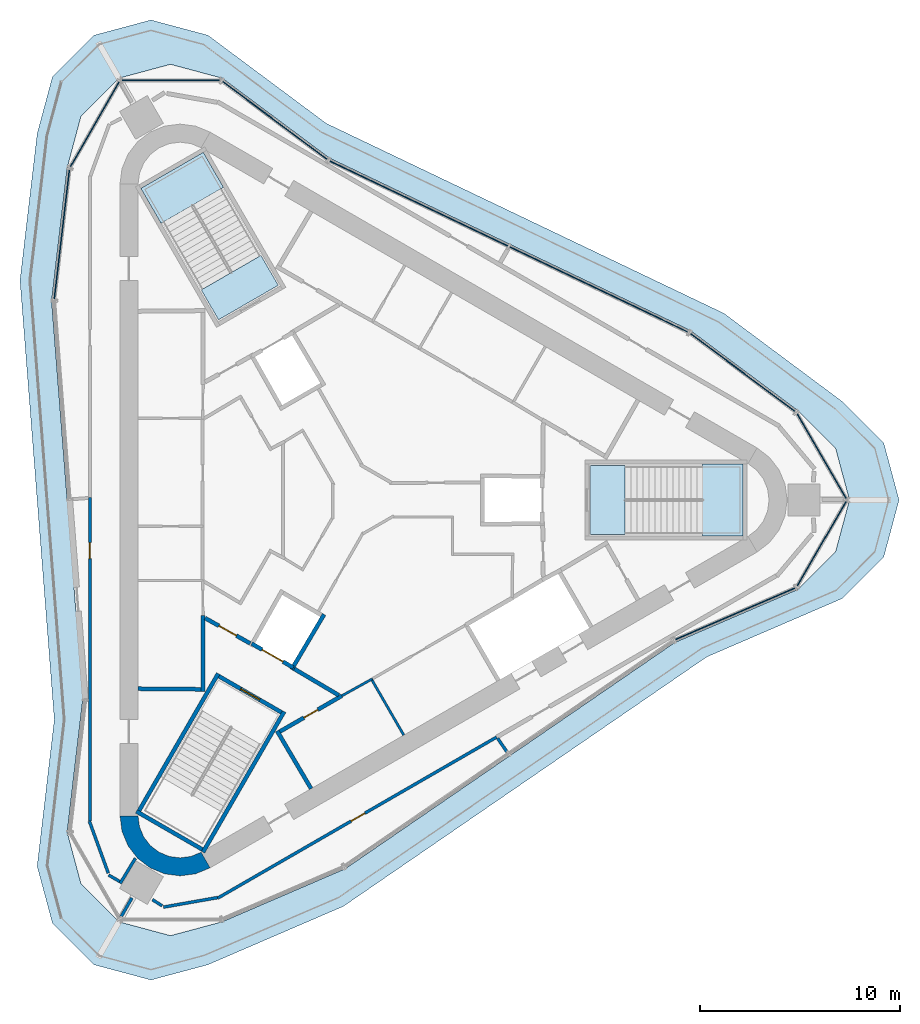
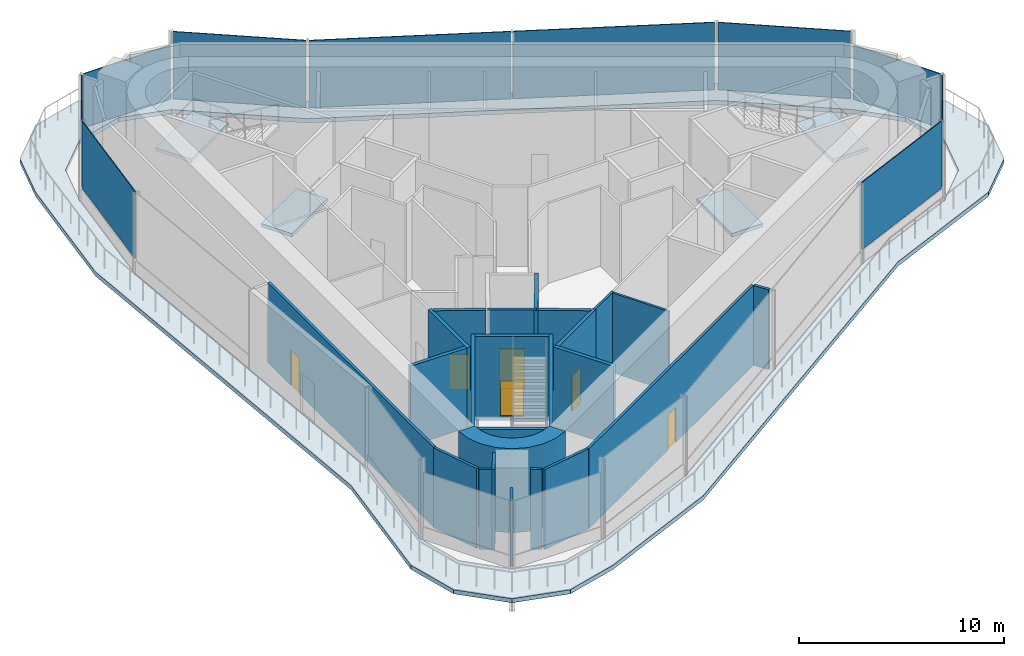
# One storey, part 3 of 8: 24 walls, 10 plates, 6 doors, 5 slabs, 6 openings, 11 elements without a shape of their own.
"""IFC4 building model written with IfcOpenShell, lengths in metres."""

import ifcopenshell
import ifcopenshell.guid

model = None  # the IFC model being written
_history = None  # IfcOwnerHistory: only IFC2X3 demands one
_inside = {}  # id of a spatial element -> (the spatial element, [elements in it])
_under = {}  # id of a project, library or spatial element -> (it, [spatial elements below it])
_declared = {}  # id of a project -> (the project, [libraries it declares])
_typed = {}  # id of a type object -> (the type object, [elements of that type])
_made_of = {}  # id of a material, layer set ... -> (it, [elements and type objects made of it])


def new_model(schema):
    """Start an empty IFC model of exactly this schema.

    Asked for "IFC4X3", IfcOpenShell would pick the latest addendum, in which some entities
    have other attributes; the version numbers below select the first issue.
    IFC2X3 requires an IfcOwnerHistory on every rooted entity: one is made here for all.
    """
    global model, _history
    if schema == "IFC4X3":
        model = ifcopenshell.file(schema_version=(4, 3, 0, 0))
    else:
        model = ifcopenshell.file(schema=schema)
    _inside.clear()
    _under.clear()
    _declared.clear()
    _typed.clear()
    _made_of.clear()
    _history = None
    if model.schema == "IFC2X3":
        org = make("IfcOrganization", Name="unknown")
        user = make(
            "IfcPersonAndOrganization",
            ThePerson=make("IfcPerson", FamilyName="unknown"),
            TheOrganization=org,
        )
        app = make(
            "IfcApplication",
            ApplicationDeveloper=org,
            Version="unknown",
            ApplicationFullName="unknown",
            ApplicationIdentifier="unknown",
        )
        _history = make(
            "IfcOwnerHistory",
            OwningUser=user,
            OwningApplication=app,
            ChangeAction="ADDED",
            CreationDate=0,
        )
    return model


def make(cls, **values):
    """One entity of the class cls with the attributes given. An attribute that is None is left unset."""
    return model.create_entity(
        cls, **{name: value for name, value in values.items() if value is not None}
    )


def rooted(cls, **values):
    """An entity with a GlobalId (a new one), such as an element, a storey or a relation."""
    return make(cls, GlobalId=ifcopenshell.guid.new(), OwnerHistory=_history, **values)


def si_unit(unit_type, name, prefix=None):
    """IfcSIUnit, for example si_unit("LENGTHUNIT", "METRE", prefix="MILLI")."""
    return make("IfcSIUnit", UnitType=unit_type, Prefix=prefix, Name=name)


def assignment(units):
    """IfcUnitAssignment: the units of a project."""
    return None if units is None else make("IfcUnitAssignment", Units=units)


def point(xyz):
    """IfcCartesianPoint."""
    return None if xyz is None else make("IfcCartesianPoint", Coordinates=xyz)


def direction(xyz):
    """IfcDirection."""
    return None if xyz is None else make("IfcDirection", DirectionRatios=xyz)


def frame(location, z_axis=None, x_axis=None):
    """IfcAxis2Placement3D, a coordinate frame: its origin and axes. An axis left out is left unset."""
    return make(
        "IfcAxis2Placement3D",
        Location=point(location),
        Axis=direction(z_axis),
        RefDirection=direction(x_axis),
    )


def frame_2d(location, x_axis=None):
    """IfcAxis2Placement2D, a coordinate frame in the plane: its origin and x axis."""
    return make(
        "IfcAxis2Placement2D", Location=point(location), RefDirection=direction(x_axis)
    )


def origin():
    """The frame at (0, 0, 0) with its axes left unset."""
    return frame((0.0, 0.0, 0.0))


def origin_2d():
    """The frame at (0, 0) in the plane with its x axis left unset."""
    return frame_2d((0.0, 0.0))


def place(relative_to, where):
    """IfcLocalPlacement: puts the frame where relative to a parent placement (None: the world)."""
    return make(
        "IfcLocalPlacement", PlacementRelTo=relative_to, RelativePlacement=where
    )


def context(
    kind, dimensions, precision=None, world=None, true_north=None, identifier=None
):
    """IfcGeometricRepresentationContext, for example the 3D "Model" context."""
    return make(
        "IfcGeometricRepresentationContext",
        ContextIdentifier=identifier,
        ContextType=kind,
        CoordinateSpaceDimension=dimensions,
        Precision=precision,
        WorldCoordinateSystem=world,
        TrueNorth=true_north,
    )


def subcontext(parent, identifier, kind, view, scale=None):
    """IfcGeometricRepresentationSubContext, for example "Body" below "Model"."""
    return make(
        "IfcGeometricRepresentationSubContext",
        ContextIdentifier=identifier,
        ContextType=kind,
        ParentContext=parent,
        TargetScale=scale,
        TargetView=view,
    )


def project(units=None, contexts=None):
    """IfcProject with its units and contexts."""
    return rooted(
        "IfcProject",
        Name="project",
        RepresentationContexts=contexts,
        UnitsInContext=assignment(units),
    )


def spatial(cls, under=None, at=None, **own):
    """A site, building, storey or space (cls), placed at a placement, below another one or the project."""
    s = rooted(cls, ObjectPlacement=at, **own)
    if under is not None:
        _under.setdefault(under.id(), (under, []))[1].append(s)
    return s


def polyline(points):
    """IfcPolyline through the points."""
    return make("IfcPolyline", Points=[point(p) for p in points])


def profile(cls, at=None, kind="AREA", **sizes):
    """A parametric profile (cls). Its sizes go by their IFC names, for example OverallWidth=200.0."""
    return make(cls, ProfileType=kind, Position=at, **sizes)


def rectangle(**sizes):
    """IfcRectangleProfileDef."""
    return profile("IfcRectangleProfileDef", **sizes)


def outline(outer, holes=None, kind="AREA"):
    """IfcArbitraryClosedProfileDef: a profile drawn as a closed curve; with holes, ...WithVoids."""
    if holes is None:
        return make("IfcArbitraryClosedProfileDef", ProfileType=kind, OuterCurve=outer)
    return make(
        "IfcArbitraryProfileDefWithVoids",
        ProfileType=kind,
        OuterCurve=outer,
        InnerCurves=holes,
    )


def extrude(swept, where, along, depth):
    """IfcExtrudedAreaSolid: the profile swept, set in the frame where, extruded along a direction by depth."""
    return make(
        "IfcExtrudedAreaSolid",
        SweptArea=swept,
        Position=where,
        ExtrudedDirection=direction(along),
        Depth=depth,
    )


def shape(context_of_items, identifier, shape_type, items):
    """IfcShapeRepresentation: the items that make up one representation, for example the "Body"."""
    return make(
        "IfcShapeRepresentation",
        ContextOfItems=context_of_items,
        RepresentationIdentifier=identifier,
        RepresentationType=shape_type,
        Items=items,
    )


def material(Name=None, Category=None):
    """IfcMaterial."""
    return make("IfcMaterial", Name=Name, Category=Category)


def layer(
    of_material, thickness, ventilated=None, Name=None, Category=None, Priority=None
):
    """IfcMaterialLayer: one layer of a wall or slab, of a material (None: an air gap)."""
    return make(
        "IfcMaterialLayer",
        Material=of_material,
        LayerThickness=thickness,
        IsVentilated=ventilated,
        Name=Name,
        Category=Category,
        Priority=Priority,
    )


def layer_set(layers, Name=None):
    """IfcMaterialLayerSet."""
    return make("IfcMaterialLayerSet", MaterialLayers=layers, LayerSetName=Name)


def made_of(thing, what):
    """Note that an element or type object is made of a material, layer set ...; save() writes the relation."""
    if what is not None:
        _made_of.setdefault(what.id(), (what, []))[1].append(thing)
    return thing


def type_object(cls, material=None, **own):
    """A type object (cls), such as IfcWallType, which elements share."""
    return made_of(rooted(cls, **own), material)


def element(
    cls,
    number,
    at=None,
    inside=None,
    cuts=None,
    type_object=None,
    material=None,
    context=None,
    identifier="Body",
    shape_type=None,
    held_by="IfcProductDefinitionShape",
    body=None,
    shapes=None,
    **own,
):
    """One element of the class cls, such as IfcWall. Its Tag is "e" and its number.

    at: its placement. inside: the storey or other place that contains it. cuts: it is an
    opening in that element (IfcRelVoidsElement). A single representation is given by context,
    identifier, shape_type and body (its items); several are given by shapes. held_by: the class
    of the entity that holds the representations. save() writes the other relations.
    """
    e = rooted(cls, Tag="e%d" % number, ObjectPlacement=at, **own)
    if body is not None:
        shapes = [shape(context, identifier, shape_type, body)]
    if shapes is not None:
        e.Representation = make(held_by, Representations=shapes)
    if inside is not None:
        _inside.setdefault(inside.id(), (inside, []))[1].append(e)
    if cuts is not None:
        rooted(
            "IfcRelVoidsElement", RelatingBuildingElement=cuts, RelatedOpeningElement=e
        )
    if type_object is not None:
        _typed.setdefault(type_object.id(), (type_object, []))[1].append(e)
    return made_of(e, material)


def fill(opening, filler):
    """IfcRelFillsElement: the door or window that sits in an opening."""
    return rooted(
        "IfcRelFillsElement",
        RelatingOpeningElement=opening,
        RelatedBuildingElement=filler,
    )


def aggregate(whole, parts):
    """IfcRelAggregates: a whole, such as a stair, and the parts it consists of."""
    return rooted("IfcRelAggregates", RelatingObject=whole, RelatedObjects=parts)


def save(model, path):
    """Write the relations noted so far, then the file.

    IfcRelAggregates (storeys below a building ...), IfcRelContainedInSpatialStructure (elements
    in a storey), IfcRelDefinesByType, IfcRelAssociatesMaterial and IfcRelDeclares: one each for
    every whole, place, type object, material and project.
    """
    for whole, parts in _under.values():
        aggregate(whole, parts)
    for where, things in _inside.values():
        rooted(
            "IfcRelContainedInSpatialStructure",
            RelatedElements=things,
            RelatingStructure=where,
        )
    for kind, things in _typed.values():
        rooted("IfcRelDefinesByType", RelatedObjects=things, RelatingType=kind)
    for what, things in _made_of.values():
        rooted("IfcRelAssociatesMaterial", RelatedObjects=things, RelatingMaterial=what)
    for by, libraries in _declared.values():
        rooted("IfcRelDeclares", RelatingContext=by, RelatedDefinitions=libraries)
    model.write(path)


model = new_model("IFC4")

# Units and contexts
model_context = context("Model", 3, precision=1e-05, world=origin(), true_north=direction((0.0, 1.0)))
body_context = subcontext(model_context, "Body", "Model", "MODEL_VIEW")
ifc_project = project(units=[si_unit("LENGTHUNIT", "METRE"), si_unit("AREAUNIT", "SQUARE_METRE"), si_unit("VOLUMEUNIT", "CUBIC_METRE"), si_unit("PLANEANGLEUNIT", "RADIAN"), si_unit("MASSUNIT", "GRAM", prefix="KILO")], contexts=[model_context])

# Site, building, storey
site_placement = place(None, origin())
site = spatial("IfcSite", under=ifc_project, at=site_placement, CompositionType="ELEMENT")
building_placement = place(site_placement, origin())
building = spatial("IfcBuilding", under=site, at=building_placement, Name="Tanit Gate Tower", CompositionType="ELEMENT")
storey_placement = place(building_placement, frame((0.0, 0.0, 435.300048828125)))
storey = spatial("IfcBuildingStorey", under=building, at=storey_placement, Name="L98", CompositionType="ELEMENT", Elevation=435.300048828125)

# Stair, slab
ifc_material_1 = material(Name="Concrete C40/50", Category="concrete")
stair_type = type_object("IfcStairType", Name="INT-STAIR-EXIT", PredefinedType="HALF_TURN_STAIR", material=ifc_material_1)
stair_1_placement = place(storey_placement, origin())
stair_1 = element("IfcStair", 1, at=stair_1_placement, inside=storey, type_object=stair_type, Name="L98 STAIR S1", PredefinedType="HALF_TURN_STAIR")
ifc_material_2 = material(Name="Concrete C40/50", Category="concrete")
ifc_layer_1 = layer(ifc_material_2, 0.199951171875)
ifc_layer_set_1 = layer_set([ifc_layer_1], Name="INT-STAIR-LANDING")
slab_type_1 = type_object("IfcSlabType", Name="INT-STAIR-LANDING", PredefinedType="LANDING", material=ifc_layer_set_1)
slab_1_placement = place(storey_placement, frame((0.0, 0.0, 2.300048828125)))
slab_1 = element("IfcSlab", 2, at=slab_1_placement, type_object=slab_type_1, Name="S1 landing 1", PredefinedType="LANDING", context=body_context, shape_type="SweptSolid", body=[
    extrude(outline(polyline([(16.985107421875, -1.800048828125), (19.0, -1.800048828125), (19.0, 1.800048828125), (16.985107421875, 1.800048828125), (16.985107421875, -1.800048828125)])), origin(), (0.0, 0.0, 1.0), 0.199951171875),
])
aggregate(stair_1, [slab_1])

# Slab
slab_2_placement = place(storey_placement, frame((0.0, 0.0, -0.199951171875)))
element("IfcSlab", 3, at=slab_2_placement, inside=storey, type_object=slab_type_1, Name="S1 floor landing", PredefinedType="LANDING", context=body_context, shape_type="SweptSolid", body=[
    extrude(outline(polyline([(11.3798828125, -1.719970703125), (13.10498046875, -1.719970703125), (13.10498046875, 1.719970703125), (11.3798828125, 1.719970703125), (11.3798828125, -1.719970703125)])), origin(), (0.0, 0.0, 1.0), 0.199951171875),
])

# Stair, slab
stair_2_placement = place(storey_placement, origin())
stair_2 = element("IfcStair", 4, at=stair_2_placement, inside=storey, type_object=stair_type, Name="L98 STAIR S2", PredefinedType="HALF_TURN_STAIR")
slab_3_placement = place(storey_placement, frame((0.0, 0.0, 2.300048828125)))
slab_3 = element("IfcSlab", 5, at=slab_3_placement, type_object=slab_type_1, Name="S2 landing 1", PredefinedType="LANDING", context=body_context, shape_type="SweptSolid", body=[
    extrude(outline(polyline([(-6.93310546875, 15.608642578125), (-7.941162109375, 17.3544921875), (-11.058837890625, 15.554443359375), (-10.05078125, 13.80859375), (-6.93310546875, 15.608642578125)])), origin(), (0.0, 0.0, 1.0), 0.199951171875),
])
aggregate(stair_2, [slab_3])

# Slab
slab_4_placement = place(storey_placement, frame((0.0, 0.0, -0.199951171875)))
element("IfcSlab", 6, at=slab_4_placement, inside=storey, type_object=slab_type_1, Name="S2 floor landing", PredefinedType="LANDING", context=body_context, shape_type="SweptSolid", body=[
    extrude(outline(polyline([(-4.200439453125, 10.71533203125), (-5.0625, 12.20849609375), (-8.04150390625, 10.48828125), (-7.179443359375, 8.995361328125), (-4.200439453125, 10.71533203125)])), origin(), (0.0, 0.0, 1.0), 0.199951171875),
])

# Curtain wall, plate
ifc_material_3 = material(Name="Aluminium bronze anodised and glass", Category="aluminium")
curtain_wall_type = type_object("IfcCurtainWallType", Name="Curtain wall plant screen", PredefinedType="NOTDEFINED", material=ifc_material_3)
curtain_wall_1_placement = place(storey_placement, origin())
curtain_wall_1 = element("IfcCurtainWall", 7, at=curtain_wall_1_placement, inside=storey, type_object=curtain_wall_type, Name="Curtain wall L98 NE1", PredefinedType="NOTDEFINED")
ifc_material_4 = material(Name="Aluminium bronze anodised louvre", Category="aluminium")
ifc_layer_2 = layer(ifc_material_4, 0.050048828125)
ifc_layer_set_2 = layer_set([ifc_layer_2], Name="Louvre panel 50 plant screen")
plate_type = type_object("IfcPlateType", Name="Louvre panel 50 plant screen", PredefinedType="CURTAIN_PANEL", material=ifc_layer_set_2)
plate_1_placement = place(storey_placement, frame((18.9833984375, 6.3642578125, 0.75), z_axis=(0.0, 0.0, 1.0), x_axis=(-0.801987717098, 0.59734052401, 0.0)))
plate_1 = element("IfcPlate", 8, at=plate_1_placement, type_object=plate_type, Name="Louvre panel L98 NE1.1", PredefinedType="CURTAIN_PANEL", context=body_context, shape_type="SweptSolid", body=[
    extrude(rectangle(XDim=6.5, YDim=0.050048828125, at=origin_2d()), origin(), (0.0, 0.0, 1.0), 4.0),
])
aggregate(curtain_wall_1, [plate_1])

# Curtain wall, plates
curtain_wall_2_placement = place(storey_placement, origin())
curtain_wall_2 = element("IfcCurtainWall", 9, at=curtain_wall_2_placement, inside=storey, type_object=curtain_wall_type, Name="Curtain wall L98 NE2", PredefinedType="NOTDEFINED")
plate_2_placement = place(storey_placement, frame((11.79052734375, 10.513671875, 0.75), z_axis=(0.0, 0.0, 1.0), x_axis=(-0.902317145415, 0.431072811819, 0.0)))
plate_2 = element("IfcPlate", 10, at=plate_2_placement, type_object=plate_type, Name="Louvre panel L98 NE2.1", PredefinedType="CURTAIN_PANEL", context=body_context, shape_type="SweptSolid", body=[
    extrude(rectangle(XDim=9.863037109375, YDim=0.050048828125, at=origin_2d()), origin(), (0.0, 0.0, 1.0), 4.0),
])
plate_3_placement = place(storey_placement, frame((2.81884765625, 14.7998046875, 0.75), z_axis=(0.0, 0.0, 1.0), x_axis=(-0.902317145415, 0.431072811819, 0.0)))
plate_3 = element("IfcPlate", 11, at=plate_3_placement, type_object=plate_type, Name="Louvre panel L98 NE2.2", PredefinedType="CURTAIN_PANEL", context=body_context, shape_type="SweptSolid", body=[
    extrude(rectangle(XDim=9.863037109375, YDim=0.050048828125, at=origin_2d()), origin(), (0.0, 0.0, 1.0), 4.0),
])
aggregate(curtain_wall_2, [plate_2, plate_3])

# Curtain wall, plate
curtain_wall_3_placement = place(storey_placement, origin())
curtain_wall_3 = element("IfcCurtainWall", 12, at=curtain_wall_3_placement, inside=storey, type_object=curtain_wall_type, Name="Curtain wall L98 NE3", PredefinedType="NOTDEFINED")
plate_4_placement = place(storey_placement, frame((-4.37744140625, 18.9521484375, 0.75), z_axis=(0.0, 0.0, 1.0), x_axis=(-0.801987717098, 0.59734052401, 0.0)))
plate_4 = element("IfcPlate", 13, at=plate_4_placement, type_object=plate_type, Name="Louvre panel L98 NE3.1", PredefinedType="CURTAIN_PANEL", context=body_context, shape_type="SweptSolid", body=[
    extrude(rectangle(XDim=6.50927734375, YDim=0.050048828125, at=origin_2d()), origin(), (0.0, 0.0, 1.0), 4.0),
])
aggregate(curtain_wall_3, [plate_4])

curtain_wall_4_placement = place(storey_placement, origin())
curtain_wall_4 = element("IfcCurtainWall", 14, at=curtain_wall_4_placement, inside=storey, type_object=curtain_wall_type, Name="Curtain wall L98 NW.arc1", PredefinedType="NOTDEFINED")
plate_5_placement = place(storey_placement, frame((-9.57275390625, 20.9453125, 0.75), z_axis=(0.0, 0.0, 1.0), x_axis=(-0.99999988904, 0.000471083302, 0.0)))
plate_5 = element("IfcPlate", 15, at=plate_5_placement, type_object=plate_type, Name="Louvre panel L98 NW.arc1.1", PredefinedType="CURTAIN_PANEL", context=body_context, shape_type="SweptSolid", body=[
    extrude(rectangle(XDim=4.881591796875, YDim=0.050048828125, at=origin_2d()), origin(), (0.0, 0.0, 1.0), 3.2099609375),
])
aggregate(curtain_wall_4, [plate_5])

curtain_wall_5_placement = place(storey_placement, origin())
curtain_wall_5 = element("IfcCurtainWall", 16, at=curtain_wall_5_placement, inside=storey, type_object=curtain_wall_type, Name="Curtain wall L98 NW.arc2", PredefinedType="NOTDEFINED")
plate_6_placement = place(storey_placement, frame((-13.354736328125, 18.755859375, 0.75), z_axis=(0.0, 0.0, 1.0), x_axis=(-0.498960988441, -0.866624446929, 0.0)))
plate_6 = element("IfcPlate", 17, at=plate_6_placement, type_object=plate_type, Name="Louvre panel L98 NW.arc2.1", PredefinedType="CURTAIN_PANEL", context=body_context, shape_type="SweptSolid", body=[
    extrude(rectangle(XDim=4.895263671875, YDim=0.050048828125, at=origin_2d()), origin(), (0.0, 0.0, 1.0), 3.2099609375),
])
aggregate(curtain_wall_5, [plate_6])

curtain_wall_6_placement = place(storey_placement, origin())
curtain_wall_6 = element("IfcCurtainWall", 18, at=curtain_wall_6_placement, inside=storey, type_object=curtain_wall_type, Name="Curtain wall L98 W1", PredefinedType="NOTDEFINED")
plate_7_placement = place(storey_placement, frame((-15.003173828125, 13.2578125, 0.75), z_axis=(0.0, 0.0, 1.0), x_axis=(-0.116318209953, -0.993211998535, 0.0)))
plate_7 = element("IfcPlate", 19, at=plate_7_placement, type_object=plate_type, Name="Louvre panel L98 W1.1", PredefinedType="CURTAIN_PANEL", context=body_context, shape_type="SweptSolid", body=[
    extrude(rectangle(XDim=6.5, YDim=0.050048828125, at=origin_2d()), origin(), (0.0, 0.0, 1.0), 4.0),
])
aggregate(curtain_wall_6, [plate_7])

curtain_wall_7_placement = place(storey_placement, origin())
curtain_wall_7 = element("IfcCurtainWall", 20, at=curtain_wall_7_placement, inside=storey, type_object=curtain_wall_type, Name="Curtain wall L98 SE3", PredefinedType="NOTDEFINED")
plate_8_placement = place(storey_placement, frame((18.601806640625, -5.68505859375, 0.75), z_axis=(0.0, 0.0, 1.0), x_axis=(0.918305927051, 0.395871474525, 0.0)))
plate_8 = element("IfcPlate", 21, at=plate_8_placement, type_object=plate_type, Name="Louvre panel L98 SE3.1", PredefinedType="CURTAIN_PANEL", context=body_context, shape_type="SweptSolid", body=[
    extrude(rectangle(XDim=6.50927734375, YDim=0.050048828125, at=origin_2d()), origin(), (0.0, 0.0, 1.0), 4.0),
])
aggregate(curtain_wall_7, [plate_8])

curtain_wall_8_placement = place(storey_placement, origin())
curtain_wall_8 = element("IfcCurtainWall", 22, at=curtain_wall_8_placement, inside=storey, type_object=curtain_wall_type, Name="Curtain wall L98 E.arc1", PredefinedType="NOTDEFINED")
plate_9_placement = place(storey_placement, frame((22.925537109375, -2.182373046875, 0.75), z_axis=(0.0, 0.0, 1.0), x_axis=(0.500407914627, 0.865789766039, 0.0)))
plate_9 = element("IfcPlate", 23, at=plate_9_placement, type_object=plate_type, Name="Louvre panel L98 E.arc1.1", PredefinedType="CURTAIN_PANEL", context=body_context, shape_type="SweptSolid", body=[
    extrude(rectangle(XDim=4.881591796875, YDim=0.050048828125, at=origin_2d()), origin(), (0.0, 0.0, 1.0), 3.2099609375),
])
aggregate(curtain_wall_8, [plate_9])

curtain_wall_9_placement = place(storey_placement, origin())
curtain_wall_9 = element("IfcCurtainWall", 24, at=curtain_wall_9_placement, inside=storey, type_object=curtain_wall_type, Name="Curtain wall L98 E.arc2", PredefinedType="NOTDEFINED")
plate_10_placement = place(storey_placement, frame((22.92041015625, 2.1875, 0.75), z_axis=(0.0, 0.0, 1.0), x_axis=(-0.50103829236, 0.865425114951, 0.0)))
plate_10 = element("IfcPlate", 25, at=plate_10_placement, type_object=plate_type, Name="Louvre panel L98 E.arc2.1", PredefinedType="CURTAIN_PANEL", context=body_context, shape_type="SweptSolid", body=[
    extrude(rectangle(XDim=4.895263671875, YDim=0.050048828125, at=origin_2d()), origin(), (0.0, 0.0, 1.0), 3.2099609375),
])
aggregate(curtain_wall_9, [plate_10])

# Slab
ifc_material_5 = material(Name="Concrete C35/45", Category="concrete")
ifc_layer_3 = layer(ifc_material_5, 0.25)
ifc_layer_set_3 = layer_set([ifc_layer_3], Name="TERRACE SLAB 250 C35/45")
slab_type_2 = type_object("IfcSlabType", Name="TERRACE SLAB 250 C35/45", PredefinedType="FLOOR", material=ifc_layer_set_3)
slab_5_placement = place(storey_placement, frame((0.0, 0.0, -0.25)))
element("IfcSlab", 26, at=slab_5_placement, inside=storey, type_object=slab_type_2, Name="TERRACE SLAB L98", PredefinedType="FLOOR", context=body_context, shape_type="SweptSolid", body=[
    extrude(outline(polyline([(26.02490234375, 2.8408203125), (26.7861328125, 0.0), (26.02490234375, -2.8408203125), (23.945068359375, -4.920654296875), (17.185791015625, -7.83447265625), (-0.951904296875, -20.283447265625), (-7.711181640625, -23.197509765625), (-10.552001953125, -23.95849609375), (-13.39306640625, -23.197509765625), (-15.47265625, -21.11767578125), (-16.23388671875, -18.276611328125), (-15.377685546875, -10.966064453125), (-17.090087890625, 10.966064453125), (-16.23388671875, 18.276611328125), (-15.47265625, 21.11767578125), (-13.39306640625, 23.197509765625), (-10.552001953125, 23.95849609375), (-7.711181640625, 23.197509765625), (-1.80810546875, 18.800537109375), (18.0419921875, 9.3173828125), (23.945068359375, 4.920654296875), (26.02490234375, 2.8408203125)]), holes=[polyline([(16.375, 8.45654296875), (-1.640869140625, 17.0634765625), (-6.99853515625, 21.053955078125), (-9.5771484375, 21.744873046875), (-12.155517578125, 21.053955078125), (-14.043212890625, 19.16650390625), (-14.73388671875, 16.587890625), (-15.510986328125, 9.952880859375), (-13.956787109375, -9.952880859375), (-14.73388671875, -16.587890625), (-14.043212890625, -19.16650390625), (-12.155517578125, -21.053955078125), (-9.5771484375, -21.744873046875), (-6.99853515625, -21.053955078125), (-0.864013671875, -18.409423828125), (15.597900390625, -7.110595703125), (21.732666015625, -4.466064453125), (23.6201171875, -2.578369140625), (24.31103515625, 0.0), (23.6201171875, 2.578369140625), (21.732666015625, 4.466064453125), (16.375, 8.45654296875)])]), origin(), (0.0, 0.0, 1.0), 0.25),
])

# Walls
ifc_material_6 = material(Name="Concrete C40/50", Category="concrete")
ifc_layer_4 = layer(ifc_material_6, 0.89990234375)
ifc_layer_set_4 = layer_set([ifc_layer_4], Name="CORE WALL 900 C40/50")
wall_type_1 = type_object("IfcWallType", Name="CORE WALL 900 C40/50", PredefinedType="SHEAR", material=ifc_layer_set_4)
wall_1_placement = place(storey_placement, origin())
element("IfcWall", 27, at=wall_1_placement, inside=storey, type_object=wall_type_1, Name="CORE WALL CORNER", PredefinedType="SHEAR", context=body_context, shape_type="SweptSolid", body=[
    extrude(outline(polyline([(-12.10009765625, -15.76171875), (-11.997802734375, -16.5380859375), (-11.697998046875, -17.26171875), (-11.22119140625, -17.883056640625), (-10.60009765625, -18.359619140625), (-9.87646484375, -18.659423828125), (-9.10009765625, -18.76171875), (-8.323486328125, -18.659423828125), (-7.60009765625, -18.359619140625), (-8.050048828125, -17.580322265625), (-8.556396484375, -17.7900390625), (-9.10009765625, -17.86181640625), (-9.6435546875, -17.7900390625), (-10.14990234375, -17.580322265625), (-10.5849609375, -17.24658203125), (-10.918701171875, -16.811767578125), (-11.12841796875, -16.30517578125), (-11.199951171875, -15.76171875), (-12.10009765625, -15.76171875)])), origin(), (0.0, 0.0, 1.0), 5.0),
])
ifc_material_7 = material(Name="Fire-rated gypsum board partition")
ifc_layer_5 = layer(ifc_material_7, 0.199951171875)
ifc_layer_set_5 = layer_set([ifc_layer_5], Name="INT-WALL-COMPARTMENT")
wall_type_2 = type_object("IfcWallType", Name="INT-WALL-COMPARTMENT", PredefinedType="PARTITIONING", material=ifc_layer_set_5)
wall_2_placement = place(storey_placement, frame((-7.949951171875, -9.550048828125, 0.0), z_axis=(0.0, 0.0, 1.0), x_axis=(0.0, 1.0, 0.0)))
element("IfcWall", 28, at=wall_2_placement, inside=storey, type_object=wall_type_2, Name="Wall Compartment W041", PredefinedType="PARTITIONING", context=body_context, shape_type="SweptSolid", body=[
    extrude(rectangle(XDim=3.777587890625, YDim=0.199951171875, at=frame_2d((1.888671875, 0.0))), origin(), (0.0, 0.0, 1.0), 4.75),
])
wall_3_placement = place(storey_placement, frame((-11.199951171875, -9.419921875, 0.0), z_axis=(0.0, 0.0, 1.0), x_axis=(0.999957467379, -0.009222983926, 0.0)))
element("IfcWall", 29, at=wall_3_placement, inside=storey, type_object=wall_type_2, Name="Wall Compartment W042", PredefinedType="PARTITIONING", context=body_context, shape_type="SweptSolid", body=[
    extrude(rectangle(XDim=3.150146484375, YDim=0.199951171875, at=frame_2d((1.5751953125, 0.0))), origin(), (0.0, 0.0, 1.0), 4.75),
])
wall_4_placement = place(storey_placement, frame((-4.259765625, -11.523681640625, 0.0), z_axis=(0.0, 0.0, 1.0), x_axis=(0.507997497166, -0.861358544901, 0.0)))
element("IfcWall", 30, at=wall_4_placement, inside=storey, type_object=wall_type_2, Name="Wall Compartment W056", PredefinedType="PARTITIONING", context=body_context, shape_type="SweptSolid", body=[
    extrude(rectangle(XDim=3.350341796875, YDim=0.199951171875, at=frame_2d((1.67529296875, 0.0))), origin(), (0.0, 0.0, 1.0), 4.75),
])

# Wall, opening, door
wall_5_placement = place(storey_placement, frame((-1.02392578125, -9.77099609375, 0.0), z_axis=(0.0, 0.0, 1.0), x_axis=(-0.866029903013, -0.499992207027, 0.0)))
wall_5 = element("IfcWall", 31, at=wall_5_placement, inside=storey, type_object=wall_type_2, Name="Wall Compartment W057", PredefinedType="PARTITIONING", context=body_context, shape_type="SweptSolid", body=[
    extrude(rectangle(XDim=3.57763671875, YDim=0.199951171875, at=frame_2d((1.788818359375, 0.0))), origin(), (0.0, 0.0, 1.0), 4.75),
])
opening_1_placement = place(wall_5_placement, frame((1.388916015625, 0.0, 0.0)))
opening_1 = element("IfcOpeningElement", 32, at=opening_1_placement, cuts=wall_5, Name="Opening R08-98-20", PredefinedType="OPENING", context=body_context, shape_type="SweptSolid", body=[
    extrude(rectangle(XDim=0.800048828125, YDim=2.10009765625, at=frame_2d((0.39990234375, 1.050048828125))), frame((0.0, 0.10986328125, 0.0), z_axis=(0.0, -1.0, 0.0), x_axis=(1.0, 0.0, 0.0)), (0.0, 0.0, 1.0), 0.219970703125),
])
ifc_material_8 = material(Name="Timber door leaf", Category="wood")
door_type_1 = type_object("IfcDoorType", Name="INT-DOOR-RISER-800", OperationType="NOTDEFINED", PredefinedType="USERDEFINED", material=ifc_material_8)
door_1_placement = place(opening_1_placement, origin())
door_1 = element("IfcDoor", 33, at=door_1_placement, inside=storey, type_object=door_type_1, Name="Door R08-98-20", ObjectType="FIRE DOOR", OperationType="SINGLE_SWING_LEFT", OverallHeight=2.10009765625, OverallWidth=0.800048828125, PredefinedType="USERDEFINED", context=body_context, shape_type="SweptSolid", body=[
    extrude(rectangle(XDim=0.800048828125, YDim=2.10009765625, at=frame_2d((0.39990234375, 1.050048828125))), frame((0.0, 0.02490234375, 0.0), z_axis=(0.0, -1.0, 0.0), x_axis=(1.0, 0.0, 0.0)), (0.0, 0.0, 1.0), 0.050048828125),
])
fill(opening_1, door_1)

# Wall
wall_6_placement = place(storey_placement, frame((-3.400634765625, -8.43017578125, 0.0), z_axis=(0.0, 0.0, 1.0), x_axis=(0.860630814782, -0.509229418482, 0.0)))
element("IfcWall", 34, at=wall_6_placement, inside=storey, type_object=wall_type_2, Name="Wall Compartment W066", PredefinedType="PARTITIONING", context=body_context, shape_type="SweptSolid", body=[
    extrude(rectangle(XDim=2.581787109375, YDim=0.199951171875, at=frame_2d((1.291015625, 0.0))), origin(), (0.0, 0.0, 1.0), 4.75),
])

# Wall, opening, door
wall_7_placement = place(storey_placement, frame((-7.85009765625, -5.893310546875, 0.0), z_axis=(0.0, 0.0, 1.0), x_axis=(0.871350695252, -0.490660744185, 0.0)))
wall_7 = element("IfcWall", 35, at=wall_7_placement, inside=storey, type_object=wall_type_2, Name="Wall Compartment W067", PredefinedType="PARTITIONING", context=body_context, shape_type="SweptSolid", body=[
    extrude(rectangle(XDim=2.58203125, YDim=0.199951171875, at=frame_2d((1.291015625, 0.0))), origin(), (0.0, 0.0, 1.0), 4.75),
])
opening_2_placement = place(wall_7_placement, frame((0.791015625, 0.0, 0.0)))
opening_2 = element("IfcOpeningElement", 36, at=opening_2_placement, cuts=wall_7, Name="Opening F10-98-08", PredefinedType="OPENING", context=body_context, shape_type="SweptSolid", body=[
    extrude(rectangle(XDim=1.0, YDim=2.10009765625, at=frame_2d((0.5, 1.050048828125))), frame((0.0, 0.10986328125, 0.0), z_axis=(0.0, -1.0, 0.0), x_axis=(1.0, 0.0, 0.0)), (0.0, 0.0, 1.0), 0.219970703125),
])
ifc_material_9 = material(Name="Fire-rated steel door leaf", Category="steel")
door_type_2 = type_object("IfcDoorType", Name="INT-DOOR-FIRE-1000", OperationType="NOTDEFINED", PredefinedType="USERDEFINED", material=ifc_material_9)
door_2_placement = place(opening_2_placement, origin())
door_2 = element("IfcDoor", 37, at=door_2_placement, inside=storey, type_object=door_type_2, Name="Door F10-98-08", ObjectType="FIRE DOOR", OperationType="SINGLE_SWING_RIGHT", OverallHeight=2.10009765625, OverallWidth=1.0, PredefinedType="USERDEFINED", context=body_context, shape_type="SweptSolid", body=[
    extrude(rectangle(XDim=1.0, YDim=2.10009765625, at=frame_2d((0.5, 1.050048828125))), frame((0.0, 0.02490234375, 0.0), z_axis=(0.0, -1.0, 0.0), x_axis=(1.0, 0.0, 0.0)), (0.0, 0.0, 1.0), 0.050048828125),
])
fill(opening_2, door_2)

# Walls
ifc_material_10 = material(Name="Gypsum board partition")
ifc_layer_6 = layer(ifc_material_10, 0.1201171875)
ifc_layer_set_6 = layer_set([ifc_layer_6], Name="INT-WALL-PARTITION")
wall_type_3 = type_object("IfcWallType", Name="INT-WALL-PARTITION", PredefinedType="PARTITIONING", material=ifc_layer_set_6)
wall_8_placement = place(storey_placement, frame((2.066650390625, -11.739501953125, 0.0), z_axis=(0.0, 0.0, 1.0), x_axis=(-0.499984717929, 0.866034226713, 0.0)))
element("IfcWall", 38, at=wall_8_placement, inside=storey, type_object=wall_type_3, Name="Wall Partition W055", PredefinedType="PARTITIONING", context=body_context, shape_type="SweptSolid", body=[
    extrude(rectangle(XDim=3.25, YDim=0.1201171875, at=frame_2d((1.625, 0.0))), origin(), (0.0, 0.0, 1.0), 4.75),
])
wall_9_placement = place(storey_placement, frame((-1.0234375, -9.77197265625, 0.0), z_axis=(0.0, 0.0, 1.0), x_axis=(0.874290944206, 0.485402250592, 0.0)))
element("IfcWall", 39, at=wall_9_placement, inside=storey, type_object=wall_type_3, Name="Wall Partition W058", PredefinedType="PARTITIONING", context=body_context, shape_type="SweptSolid", body=[
    extrude(rectangle(XDim=1.72265625, YDim=0.1201171875, at=frame_2d((0.861328125, 0.0))), origin(), (0.0, 0.0, 1.0), 4.75),
])

# Wall, opening, door
ifc_material_11 = material(Name="Fire-rated gypsum board partition")
ifc_layer_7 = layer(ifc_material_11, 0.14990234375)
ifc_layer_set_7 = layer_set([ifc_layer_7], Name="INT-WALL-RISER")
wall_type_4 = type_object("IfcWallType", Name="INT-WALL-RISER", PredefinedType="PLUMBINGWALL", material=ifc_layer_set_7)
wall_10_placement = place(storey_placement, frame((-13.60009765625, 0.1171875, 0.0), z_axis=(0.0, 0.0, 1.0), x_axis=(0.0, -1.0, 0.0)))
wall_10 = element("IfcWall", 40, at=wall_10_placement, inside=storey, type_object=wall_type_4, Name="Wall Riser W095", PredefinedType="PLUMBINGWALL", context=body_context, shape_type="SweptSolid", body=[
    extrude(rectangle(XDim=16.147705078125, YDim=0.14990234375, at=frame_2d((8.07373046875, 0.0))), origin(), (0.0, 0.0, 1.0), 4.75),
])
opening_3_placement = place(wall_10_placement, frame((2.242919921875, 0.0, 0.0)))
opening_3 = element("IfcOpeningElement", 41, at=opening_3_placement, cuts=wall_10, Name="Opening R08-98-27", PredefinedType="OPENING", context=body_context, shape_type="SweptSolid", body=[
    extrude(rectangle(XDim=0.800048828125, YDim=2.10009765625, at=frame_2d((0.39990234375, 1.050048828125))), frame((0.0, 0.0849609375, 0.0), z_axis=(0.0, -1.0, 0.0), x_axis=(1.0, 0.0, 0.0)), (0.0, 0.0, 1.0), 0.169921875),
])
door_3_placement = place(opening_3_placement, origin())
door_3 = element("IfcDoor", 42, at=door_3_placement, inside=storey, type_object=door_type_1, Name="Door R08-98-27", ObjectType="FIRE DOOR", OperationType="SINGLE_SWING_RIGHT", OverallHeight=2.10009765625, OverallWidth=0.800048828125, PredefinedType="USERDEFINED", context=body_context, shape_type="SweptSolid", body=[
    extrude(rectangle(XDim=0.800048828125, YDim=2.10009765625, at=frame_2d((0.39990234375, 1.050048828125))), frame((0.0, 0.02490234375, 0.0), z_axis=(0.0, -1.0, 0.0), x_axis=(1.0, 0.0, 0.0)), (0.0, 0.0, 1.0), 0.050048828125),
])
fill(opening_3, door_3)

# Walls
wall_11_placement = place(storey_placement, frame((-12.09130859375, -19.1396484375, 0.0), z_axis=(0.0, 0.0, 1.0), x_axis=(0.518518801369, 0.855066227041, 0.0)))
element("IfcWall", 43, at=wall_11_placement, inside=storey, type_object=wall_type_4, Name="Wall Riser W092", PredefinedType="PLUMBINGWALL", context=body_context, shape_type="SweptSolid", body=[
    extrude(rectangle(XDim=1.470458984375, YDim=0.14990234375, at=frame_2d((0.7353515625, 0.0))), origin(), (0.0, 0.0, 1.0), 4.75),
])
wall_12_placement = place(storey_placement, frame((-12.666748046875, -18.720947265625, 0.0), z_axis=(0.0, 0.0, 1.0), x_axis=(0.866031754707, -0.499988999718, 0.0)))
element("IfcWall", 44, at=wall_12_placement, inside=storey, type_object=wall_type_4, Name="Wall Riser W093", PredefinedType="PLUMBINGWALL", context=body_context, shape_type="SweptSolid", body=[
    extrude(rectangle(XDim=0.63427734375, YDim=0.14990234375, at=frame_2d((0.317138671875, 0.0))), origin(), (0.0, 0.0, 1.0), 4.75),
])
wall_13_placement = place(storey_placement, frame((-13.625732421875, -16.034912109375, 0.0), z_axis=(0.0, 0.0, 1.0), x_axis=(0.342070181816, -0.939674406756, 0.0)))
element("IfcWall", 45, at=wall_13_placement, inside=storey, type_object=wall_type_4, Name="Wall Riser W094", PredefinedType="PLUMBINGWALL", context=body_context, shape_type="SweptSolid", body=[
    extrude(rectangle(XDim=2.75634765625, YDim=0.14990234375, at=frame_2d((1.378173828125, 0.0))), origin(), (0.0, 0.0, 1.0), 4.75),
])
wall_14_placement = place(storey_placement, frame((-11.50146484375, -19.861083984375, 0.0), z_axis=(0.0, 0.0, 1.0), x_axis=(-0.500107244371, -0.865963477364, 0.0)))
element("IfcWall", 46, at=wall_14_placement, inside=storey, type_object=wall_type_4, Name="Wall Riser W098", PredefinedType="PLUMBINGWALL", context=body_context, shape_type="SweptSolid", body=[
    extrude(rectangle(XDim=1.098388671875, YDim=0.14990234375, at=frame_2d((0.54931640625, 0.0))), origin(), (0.0, 0.0, 1.0), 3.929931640625),
])

# Wall, opening, door
wall_15_placement = place(storey_placement, frame((-7.212646484375, -19.8681640625, 0.0), z_axis=(0.0, 0.0, 1.0), x_axis=(0.866026120779, 0.499998758127, 0.0)))
wall_15 = element("IfcWall", 47, at=wall_15_placement, inside=storey, type_object=wall_type_4, Name="Wall Riser W107", PredefinedType="PLUMBINGWALL", context=body_context, shape_type="SweptSolid", body=[
    extrude(rectangle(XDim=16.06201171875, YDim=0.14990234375, at=frame_2d((8.031005859375, 0.0))), origin(), (0.0, 0.0, 1.0), 4.75),
])
opening_4_placement = place(wall_15_placement, frame((7.675048828125, 0.0, 0.0)))
opening_4 = element("IfcOpeningElement", 48, at=opening_4_placement, cuts=wall_15, Name="Opening R08-98-30", PredefinedType="OPENING", context=body_context, shape_type="SweptSolid", body=[
    extrude(rectangle(XDim=0.800048828125, YDim=2.10009765625, at=frame_2d((0.39990234375, 1.050048828125))), frame((0.0, 0.0849609375, 0.0), z_axis=(0.0, -1.0, 0.0), x_axis=(1.0, 0.0, 0.0)), (0.0, 0.0, 1.0), 0.169921875),
])
door_4_placement = place(opening_4_placement, origin())
door_4 = element("IfcDoor", 49, at=door_4_placement, inside=storey, type_object=door_type_1, Name="Door R08-98-30", ObjectType="FIRE DOOR", OperationType="SINGLE_SWING_RIGHT", OverallHeight=2.10009765625, OverallWidth=0.800048828125, PredefinedType="USERDEFINED", context=body_context, shape_type="SweptSolid", body=[
    extrude(rectangle(XDim=0.800048828125, YDim=2.10009765625, at=frame_2d((0.39990234375, 1.050048828125))), frame((0.0, 0.02490234375, 0.0), z_axis=(0.0, -1.0, 0.0), x_axis=(1.0, 0.0, 0.0)), (0.0, 0.0, 1.0), 0.050048828125),
])
fill(opening_4, door_4)

# Walls
wall_16_placement = place(storey_placement, frame((-9.931884765625, -20.321533203125, 0.0), z_axis=(0.0, 0.0, 1.0), x_axis=(0.984813908974, 0.173613261856, 0.0)))
element("IfcWall", 50, at=wall_16_placement, inside=storey, type_object=wall_type_4, Name="Wall Riser W108", PredefinedType="PLUMBINGWALL", context=body_context, shape_type="SweptSolid", body=[
    extrude(rectangle(XDim=2.751953125, YDim=0.14990234375, at=frame_2d((1.3759765625, 0.0))), origin(), (0.0, 0.0, 1.0), 4.75),
])
wall_17_placement = place(storey_placement, frame((-10.478759765625, -19.94970703125, 0.0), z_axis=(0.0, 0.0, 1.0), x_axis=(0.843309487859, -0.537428234917, 0.0)))
element("IfcWall", 51, at=wall_17_placement, inside=storey, type_object=wall_type_4, Name="Wall Riser W109", PredefinedType="PLUMBINGWALL", context=body_context, shape_type="SweptSolid", body=[
    extrude(rectangle(XDim=0.571533203125, YDim=0.14990234375, at=frame_2d((0.28564453125, 0.0))), origin(), (0.0, 0.0, 1.0), 4.75),
])
wall_18_placement = place(storey_placement, frame((7.21337890625, -12.568359375, 0.0), z_axis=(0.0, 0.0, 1.0), x_axis=(-0.565933909506, 0.824450611056, 0.0)))
element("IfcWall", 52, at=wall_18_placement, inside=storey, type_object=wall_type_4, Name="Wall Riser W113", PredefinedType="PLUMBINGWALL", context=body_context, shape_type="SweptSolid", body=[
    extrude(rectangle(XDim=0.81884765625, YDim=0.14990234375, at=frame_2d((0.409423828125, 0.0))), origin(), (0.0, 0.0, 1.0), 4.75),
])

# Wall, opening, door
ifc_material_12 = material(Name="Gypsum shaft wall system")
ifc_layer_8 = layer(ifc_material_12, 0.199951171875)
ifc_layer_set_8 = layer_set([ifc_layer_8], Name="INT-WALL-SHAFT")
wall_type_5 = type_object("IfcWallType", Name="INT-WALL-SHAFT", PredefinedType="PLUMBINGWALL", material=ifc_layer_set_8)
wall_19_placement = place(storey_placement, frame((-3.44580078125, -8.3681640625, 0.0), z_axis=(0.0, 0.0, 1.0), x_axis=(-0.866024647952, 0.500001309137, 0.0)))
wall_19 = element("IfcWall", 53, at=wall_19_placement, inside=storey, type_object=wall_type_5, Name="Wall Shaft W028", PredefinedType="PLUMBINGWALL", context=body_context, shape_type="SweptSolid", body=[
    extrude(rectangle(XDim=2.39990234375, YDim=0.199951171875, at=frame_2d((1.199951171875, 0.0))), origin(), (0.0, 0.0, 1.0), 4.75),
])
opening_5_placement = place(wall_19_placement, frame((0.60009765625, 0.0, 0.0)))
opening_5 = element("IfcOpeningElement", 54, at=opening_5_placement, cuts=wall_19, Name="Opening LDFL3-L98", PredefinedType="OPENING", context=body_context, shape_type="SweptSolid", body=[
    extrude(rectangle(XDim=1.199951171875, YDim=2.39990234375, at=frame_2d((0.60009765625, 1.199951171875))), frame((0.0, 0.10986328125, 0.0), z_axis=(0.0, -1.0, 0.0), x_axis=(1.0, 0.0, 0.0)), (0.0, 0.0, 1.0), 0.219970703125),
])
ifc_material_13 = material(Name="Stainless steel sliding door leaf", Category="steel")
door_type_3 = type_object("IfcDoorType", Name="INT-DOOR-LANDING-1200", OperationType="NOTDEFINED", PredefinedType="USERDEFINED", material=ifc_material_13)
door_5_placement = place(opening_5_placement, origin())
door_5 = element("IfcDoor", 55, at=door_5_placement, inside=storey, type_object=door_type_3, Name="Door LDFL3-L98", ObjectType="LANDING DOOR", OperationType="SLIDING_TO_LEFT", OverallHeight=2.39990234375, OverallWidth=1.199951171875, PredefinedType="USERDEFINED", context=body_context, shape_type="SweptSolid", body=[
    extrude(rectangle(XDim=1.199951171875, YDim=2.39990234375, at=frame_2d((0.60009765625, 1.199951171875))), frame((0.0, 0.02490234375, 0.0), z_axis=(0.0, -1.0, 0.0), x_axis=(1.0, 0.0, 0.0)), (0.0, 0.0, 1.0), 0.050048828125),
])
fill(opening_5, door_5)

# Walls
wall_20_placement = place(storey_placement, frame((-1.909912109375, -5.7099609375, 0.0), z_axis=(0.0, 0.0, 1.0), x_axis=(-0.508616218331, -0.860993346345, 0.0)))
element("IfcWall", 56, at=wall_20_placement, inside=storey, type_object=wall_type_5, Name="Wall Shaft W030", PredefinedType="PLUMBINGWALL", context=body_context, shape_type="SweptSolid", body=[
    extrude(rectangle(XDim=3.2001953125, YDim=0.199951171875, at=frame_2d((1.60009765625, 0.0))), origin(), (0.0, 0.0, 1.0), 4.75),
])
ifc_material_14 = material(Name="Concrete C40/50", Category="concrete")
ifc_layer_9 = layer(ifc_material_14, 0.199951171875)
ifc_layer_set_9 = layer_set([ifc_layer_9], Name="INT-WALL-STAIR")
wall_type_6 = type_object("IfcWallType", Name="INT-WALL-STAIR", PredefinedType="SHEAR", material=ifc_layer_set_9)
wall_21_placement = place(storey_placement, frame((-3.904541015625, -10.56298828125, -0.25), z_axis=(0.0, 0.0, 1.0), x_axis=(-0.500012932018, -0.866017937352, 0.0)))
element("IfcWall", 57, at=wall_21_placement, inside=storey, type_object=wall_type_6, Name="Wall Stair W024", PredefinedType="SHEAR", context=body_context, shape_type="SweptSolid", body=[
    extrude(rectangle(XDim=8.099853515625, YDim=0.199951171875, at=frame_2d((4.0498046875, 0.0))), origin(), (0.0, 0.0, 1.0), 5.0),
])
wall_22_placement = place(storey_placement, frame((-11.281982421875, -15.541015625, -0.25), z_axis=(0.0, 0.0, 1.0), x_axis=(0.866000483506, -0.500043160704, 0.0)))
element("IfcWall", 58, at=wall_22_placement, inside=storey, type_object=wall_type_6, Name="Wall Stair W025", PredefinedType="SHEAR", context=body_context, shape_type="SweptSolid", body=[
    extrude(rectangle(XDim=3.800048828125, YDim=0.199951171875, at=frame_2d((1.89990234375, 0.0))), origin(), (0.0, 0.0, 1.0), 5.0),
])
wall_23_placement = place(storey_placement, frame((-7.195556640625, -8.662841796875, -0.25), z_axis=(0.0, 0.0, 1.0), x_axis=(-0.499997992926, -0.866026562566, 0.0)))
element("IfcWall", 59, at=wall_23_placement, inside=storey, type_object=wall_type_6, Name="Wall Stair W026", PredefinedType="SHEAR", context=body_context, shape_type="SweptSolid", body=[
    extrude(rectangle(XDim=7.89990234375, YDim=0.199951171875, at=frame_2d((3.949951171875, 0.0))), origin(), (0.0, 0.0, 1.0), 5.0),
])

# Wall, opening, door
wall_24_placement = place(storey_placement, frame((-4.041259765625, -10.599365234375, -0.25), z_axis=(0.0, 0.0, 1.0), x_axis=(-0.866047807691, 0.499961193289, 0.0)))
wall_24 = element("IfcWall", 60, at=wall_24_placement, inside=storey, type_object=wall_type_6, Name="Wall Stair W027", PredefinedType="SHEAR", context=body_context, shape_type="SweptSolid", body=[
    extrude(rectangle(XDim=3.599853515625, YDim=0.199951171875, at=frame_2d((1.7998046875, 0.0))), origin(), (0.0, 0.0, 1.0), 5.0),
])
opening_6_placement = place(wall_24_placement, frame((1.25, 0.0, 0.25)))
opening_6 = element("IfcOpeningElement", 61, at=opening_6_placement, cuts=wall_24, Name="Opening S11-98-07", PredefinedType="OPENING", context=body_context, shape_type="SweptSolid", body=[
    extrude(rectangle(XDim=1.10009765625, YDim=2.10009765625, at=frame_2d((0.550048828125, 1.050048828125))), frame((0.0, 0.10986328125, 0.0), z_axis=(0.0, -1.0, 0.0), x_axis=(1.0, 0.0, 0.0)), (0.0, 0.0, 1.0), 0.219970703125),
])
ifc_material_15 = material(Name="Timber door leaf", Category="wood")
door_type_4 = type_object("IfcDoorType", Name="INT-DOOR-STAIR-1100", OperationType="NOTDEFINED", PredefinedType="USERDEFINED", material=ifc_material_15)
door_6_placement = place(opening_6_placement, origin())
door_6 = element("IfcDoor", 62, at=door_6_placement, inside=storey, type_object=door_type_4, Name="Door S11-98-07", ObjectType="FIRE DOOR", OperationType="SINGLE_SWING_RIGHT", OverallHeight=2.10009765625, OverallWidth=1.10009765625, PredefinedType="USERDEFINED", context=body_context, shape_type="SweptSolid", body=[
    extrude(rectangle(XDim=1.10009765625, YDim=2.10009765625, at=frame_2d((0.550048828125, 1.050048828125))), frame((0.0, 0.02490234375, 0.0), z_axis=(0.0, -1.0, 0.0), x_axis=(1.0, 0.0, 0.0)), (0.0, 0.0, 1.0), 0.050048828125),
])
fill(opening_6, door_6)

save(model, "model.ifc")
